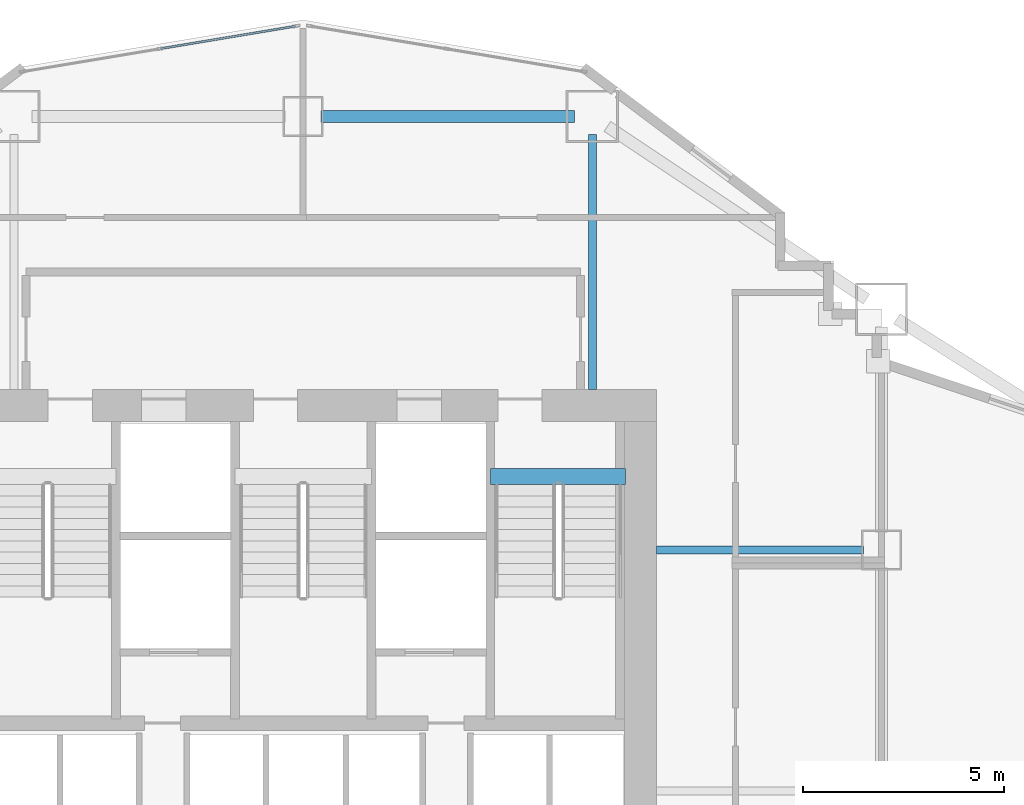
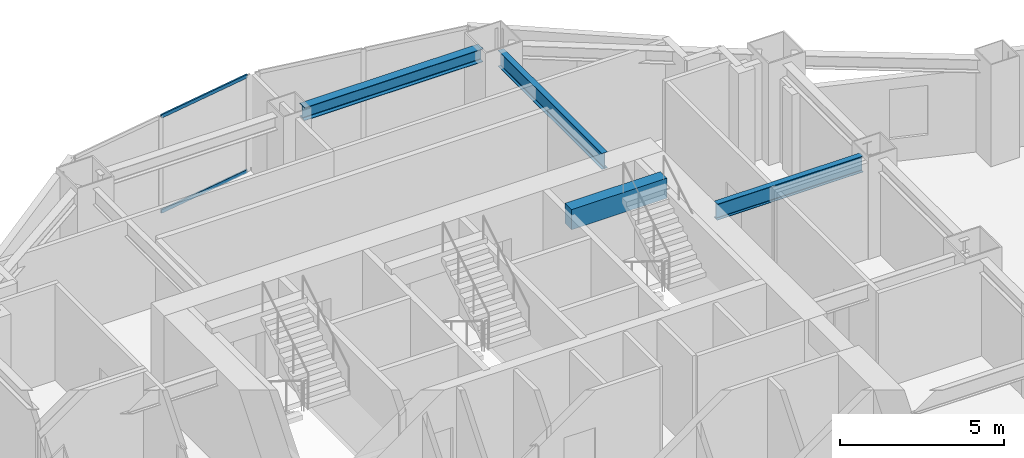
# One storey, part 3 of 17: 4 beams, 2 members, 1 element without a shape of its own.
"""IFC4 building model written with IfcOpenShell, lengths in metres."""

import ifcopenshell
import ifcopenshell.guid

model = None  # the IFC model being written
_history = None  # IfcOwnerHistory: only IFC2X3 demands one
_inside = {}  # id of a spatial element -> (the spatial element, [elements in it])
_under = {}  # id of a project, library or spatial element -> (it, [spatial elements below it])
_declared = {}  # id of a project -> (the project, [libraries it declares])
_typed = {}  # id of a type object -> (the type object, [elements of that type])
_made_of = {}  # id of a material, layer set ... -> (it, [elements and type objects made of it])


def new_model(schema):
    """Start an empty IFC model of exactly this schema.

    Asked for "IFC4X3", IfcOpenShell would pick the latest addendum, in which some entities
    have other attributes; the version numbers below select the first issue.
    IFC2X3 requires an IfcOwnerHistory on every rooted entity: one is made here for all.
    """
    global model, _history
    if schema == "IFC4X3":
        model = ifcopenshell.file(schema_version=(4, 3, 0, 0))
    else:
        model = ifcopenshell.file(schema=schema)
    _inside.clear()
    _under.clear()
    _declared.clear()
    _typed.clear()
    _made_of.clear()
    _history = None
    if model.schema == "IFC2X3":
        org = make("IfcOrganization", Name="unknown")
        user = make(
            "IfcPersonAndOrganization",
            ThePerson=make("IfcPerson", FamilyName="unknown"),
            TheOrganization=org,
        )
        app = make(
            "IfcApplication",
            ApplicationDeveloper=org,
            Version="unknown",
            ApplicationFullName="unknown",
            ApplicationIdentifier="unknown",
        )
        _history = make(
            "IfcOwnerHistory",
            OwningUser=user,
            OwningApplication=app,
            ChangeAction="ADDED",
            CreationDate=0,
        )
    return model


def make(cls, **values):
    """One entity of the class cls with the attributes given. An attribute that is None is left unset."""
    return model.create_entity(
        cls, **{name: value for name, value in values.items() if value is not None}
    )


def rooted(cls, **values):
    """An entity with a GlobalId (a new one), such as an element, a storey or a relation."""
    return make(cls, GlobalId=ifcopenshell.guid.new(), OwnerHistory=_history, **values)


def si_unit(unit_type, name, prefix=None):
    """IfcSIUnit, for example si_unit("LENGTHUNIT", "METRE", prefix="MILLI")."""
    return make("IfcSIUnit", UnitType=unit_type, Prefix=prefix, Name=name)


def assignment(units):
    """IfcUnitAssignment: the units of a project."""
    return None if units is None else make("IfcUnitAssignment", Units=units)


def point(xyz):
    """IfcCartesianPoint."""
    return None if xyz is None else make("IfcCartesianPoint", Coordinates=xyz)


def direction(xyz):
    """IfcDirection."""
    return None if xyz is None else make("IfcDirection", DirectionRatios=xyz)


def frame(location, z_axis=None, x_axis=None):
    """IfcAxis2Placement3D, a coordinate frame: its origin and axes. An axis left out is left unset."""
    return make(
        "IfcAxis2Placement3D",
        Location=point(location),
        Axis=direction(z_axis),
        RefDirection=direction(x_axis),
    )


def frame_2d(location, x_axis=None):
    """IfcAxis2Placement2D, a coordinate frame in the plane: its origin and x axis."""
    return make(
        "IfcAxis2Placement2D", Location=point(location), RefDirection=direction(x_axis)
    )


def origin():
    """The frame at (0, 0, 0) with its axes left unset."""
    return frame((0.0, 0.0, 0.0))


def origin_2d():
    """The frame at (0, 0) in the plane with its x axis left unset."""
    return frame_2d((0.0, 0.0))


def place(relative_to, where):
    """IfcLocalPlacement: puts the frame where relative to a parent placement (None: the world)."""
    return make(
        "IfcLocalPlacement", PlacementRelTo=relative_to, RelativePlacement=where
    )


def context(
    kind, dimensions, precision=None, world=None, true_north=None, identifier=None
):
    """IfcGeometricRepresentationContext, for example the 3D "Model" context."""
    return make(
        "IfcGeometricRepresentationContext",
        ContextIdentifier=identifier,
        ContextType=kind,
        CoordinateSpaceDimension=dimensions,
        Precision=precision,
        WorldCoordinateSystem=world,
        TrueNorth=true_north,
    )


def subcontext(parent, identifier, kind, view, scale=None):
    """IfcGeometricRepresentationSubContext, for example "Body" below "Model"."""
    return make(
        "IfcGeometricRepresentationSubContext",
        ContextIdentifier=identifier,
        ContextType=kind,
        ParentContext=parent,
        TargetScale=scale,
        TargetView=view,
    )


def project(units=None, contexts=None):
    """IfcProject with its units and contexts."""
    return rooted(
        "IfcProject",
        Name="project",
        RepresentationContexts=contexts,
        UnitsInContext=assignment(units),
    )


def spatial(cls, under=None, at=None, **own):
    """A site, building, storey or space (cls), placed at a placement, below another one or the project."""
    s = rooted(cls, ObjectPlacement=at, **own)
    if under is not None:
        _under.setdefault(under.id(), (under, []))[1].append(s)
    return s


def profile(cls, at=None, kind="AREA", **sizes):
    """A parametric profile (cls). Its sizes go by their IFC names, for example OverallWidth=200.0."""
    return make(cls, ProfileType=kind, Position=at, **sizes)


def rectangle(**sizes):
    """IfcRectangleProfileDef."""
    return profile("IfcRectangleProfileDef", **sizes)


def hollow_rectangle(**sizes):
    """IfcRectangleHollowProfileDef."""
    return profile("IfcRectangleHollowProfileDef", **sizes)


def i_section(**sizes):
    """IfcIShapeProfileDef."""
    return profile("IfcIShapeProfileDef", **sizes)


def extrude(swept, where, along, depth):
    """IfcExtrudedAreaSolid: the profile swept, set in the frame where, extruded along a direction by depth."""
    return make(
        "IfcExtrudedAreaSolid",
        SweptArea=swept,
        Position=where,
        ExtrudedDirection=direction(along),
        Depth=depth,
    )


def shape(context_of_items, identifier, shape_type, items):
    """IfcShapeRepresentation: the items that make up one representation, for example the "Body"."""
    return make(
        "IfcShapeRepresentation",
        ContextOfItems=context_of_items,
        RepresentationIdentifier=identifier,
        RepresentationType=shape_type,
        Items=items,
    )


def material(Name=None, Category=None):
    """IfcMaterial."""
    return make("IfcMaterial", Name=Name, Category=Category)


def layer(
    of_material, thickness, ventilated=None, Name=None, Category=None, Priority=None
):
    """IfcMaterialLayer: one layer of a wall or slab, of a material (None: an air gap)."""
    return make(
        "IfcMaterialLayer",
        Material=of_material,
        LayerThickness=thickness,
        IsVentilated=ventilated,
        Name=Name,
        Category=Category,
        Priority=Priority,
    )


def layer_set(layers, Name=None):
    """IfcMaterialLayerSet."""
    return make("IfcMaterialLayerSet", MaterialLayers=layers, LayerSetName=Name)


def material_profile(
    of_material, cross_section, Name=None, Category=None, Priority=None
):
    """IfcMaterialProfile: a cross section and its material."""
    return make(
        "IfcMaterialProfile",
        Name=Name,
        Material=of_material,
        Profile=cross_section,
        Priority=Priority,
        Category=Category,
    )


def profile_set(profiles, Name=None, composite=None):
    """IfcMaterialProfileSet."""
    return make(
        "IfcMaterialProfileSet",
        Name=Name,
        MaterialProfiles=profiles,
        CompositeProfile=composite,
    )


def made_of(thing, what):
    """Note that an element or type object is made of a material, layer set ...; save() writes the relation."""
    if what is not None:
        _made_of.setdefault(what.id(), (what, []))[1].append(thing)
    return thing


def type_object(cls, material=None, **own):
    """A type object (cls), such as IfcWallType, which elements share."""
    return made_of(rooted(cls, **own), material)


def element(
    cls,
    number,
    at=None,
    inside=None,
    cuts=None,
    type_object=None,
    material=None,
    context=None,
    identifier="Body",
    shape_type=None,
    held_by="IfcProductDefinitionShape",
    body=None,
    shapes=None,
    **own,
):
    """One element of the class cls, such as IfcWall. Its Tag is "e" and its number.

    at: its placement. inside: the storey or other place that contains it. cuts: it is an
    opening in that element (IfcRelVoidsElement). A single representation is given by context,
    identifier, shape_type and body (its items); several are given by shapes. held_by: the class
    of the entity that holds the representations. save() writes the other relations.
    """
    e = rooted(cls, Tag="e%d" % number, ObjectPlacement=at, **own)
    if body is not None:
        shapes = [shape(context, identifier, shape_type, body)]
    if shapes is not None:
        e.Representation = make(held_by, Representations=shapes)
    if inside is not None:
        _inside.setdefault(inside.id(), (inside, []))[1].append(e)
    if cuts is not None:
        rooted(
            "IfcRelVoidsElement", RelatingBuildingElement=cuts, RelatedOpeningElement=e
        )
    if type_object is not None:
        _typed.setdefault(type_object.id(), (type_object, []))[1].append(e)
    return made_of(e, material)


def aggregate(whole, parts):
    """IfcRelAggregates: a whole, such as a stair, and the parts it consists of."""
    return rooted("IfcRelAggregates", RelatingObject=whole, RelatedObjects=parts)


def save(model, path):
    """Write the relations noted so far, then the file.

    IfcRelAggregates (storeys below a building ...), IfcRelContainedInSpatialStructure (elements
    in a storey), IfcRelDefinesByType, IfcRelAssociatesMaterial and IfcRelDeclares: one each for
    every whole, place, type object, material and project.
    """
    for whole, parts in _under.values():
        aggregate(whole, parts)
    for where, things in _inside.values():
        rooted(
            "IfcRelContainedInSpatialStructure",
            RelatedElements=things,
            RelatingStructure=where,
        )
    for kind, things in _typed.values():
        rooted("IfcRelDefinesByType", RelatedObjects=things, RelatingType=kind)
    for what, things in _made_of.values():
        rooted("IfcRelAssociatesMaterial", RelatedObjects=things, RelatingMaterial=what)
    for by, libraries in _declared.values():
        rooted("IfcRelDeclares", RelatingContext=by, RelatedDefinitions=libraries)
    model.write(path)


model = new_model("IFC4")

# Units and contexts
model_context = context("Model", 3, precision=1e-05, world=origin(), true_north=direction((0.0, 1.0)))
body_context = subcontext(model_context, "Body", "Model", "MODEL_VIEW")
ifc_project = project(units=[si_unit("LENGTHUNIT", "METRE"), si_unit("AREAUNIT", "SQUARE_METRE"), si_unit("VOLUMEUNIT", "CUBIC_METRE"), si_unit("PLANEANGLEUNIT", "RADIAN"), si_unit("MASSUNIT", "GRAM", prefix="KILO")], contexts=[model_context])

# Site, building, storey
site_placement = place(None, origin())
site = spatial("IfcSite", under=ifc_project, at=site_placement, CompositionType="ELEMENT")
building_placement = place(site_placement, origin())
building = spatial("IfcBuilding", under=site, at=building_placement, Name="Haolan Belvedere Tower", CompositionType="ELEMENT")
storey_placement = place(building_placement, frame((0.0, 0.0, 31.60009765625)))
storey = spatial("IfcBuildingStorey", under=building, at=storey_placement, Name="L07", CompositionType="ELEMENT", Elevation=31.60009765625)

# Beams
ifc_material_1 = material(Name="Steel Q355B", Category="steel")
ifc_material_profile_1 = material_profile(ifc_material_1, i_section(OverallWidth=0.300048828125, OverallDepth=0.488037109375, WebThickness=0.010986328125, FlangeThickness=0.01806640625, FilletRadius=0.02587890625, at=origin_2d()), Name="Steel Q355B")
ifc_profile_set_1 = profile_set([ifc_material_profile_1], Name="Steel Q355B")
beam_type_1 = type_object("IfcBeamType", Name="BM-HM488x300x11x18", PredefinedType="SPANDREL", material=ifc_profile_set_1)
beam_1_placement = place(storey_placement, frame((38.85009765625, 50.39990234375, 3.35595703125), z_axis=(1.0, 0.0, 0.0), x_axis=(0.0, 1.0, 0.0)))
element("IfcBeam", 1, at=beam_1_placement, inside=storey, type_object=beam_type_1, Name="L07 spandrel girder TC-T3-NM-MC-T3-N2", PredefinedType="SPANDREL", context=body_context, shape_type="SweptSolid", body=[
    extrude(i_section(OverallWidth=0.300048828125, OverallDepth=0.488037109375, WebThickness=0.010986328125, FlangeThickness=0.01806640625, FilletRadius=0.02587890625, at=origin_2d()), origin(), (0.0, 0.0, 1.0), 6.2998046875),
])
ifc_material_profile_2 = material_profile(ifc_material_1, i_section(OverallWidth=0.199951171875, OverallDepth=0.60009765625, WebThickness=0.010986328125, FlangeThickness=0.01708984375, FilletRadius=0.02197265625, at=origin_2d()), Name="Steel Q355B")
ifc_profile_set_2 = profile_set([ifc_material_profile_2], Name="Steel Q355B")
beam_type_2 = type_object("IfcBeamType", Name="BM-HN600x200x11x17", PredefinedType="BEAM", material=ifc_profile_set_2)
beam_2_placement = place(storey_placement, frame((52.35009765625, 39.60009765625, 3.2998046875), z_axis=(-1.0, 0.0, 0.0), x_axis=(0.0, -1.0, 0.0)))
element("IfcBeam", 2, at=beam_2_placement, inside=storey, type_object=beam_type_2, Name="L07 core tie beam from TC-T3-E2", PredefinedType="BEAM", context=body_context, shape_type="SweptSolid", body=[
    extrude(i_section(OverallWidth=0.199951171875, OverallDepth=0.60009765625, WebThickness=0.010986328125, FlangeThickness=0.01708984375, FilletRadius=0.02197265625, at=origin_2d()), origin(), (0.0, 0.0, 1.0), 5.150146484375),
])
beam_3_placement = place(storey_placement, frame((45.60009765625, 49.949951171875, 3.2998046875), z_axis=(0.0, -1.0, 0.0), x_axis=(1.0, 0.0, 0.0)))
element("IfcBeam", 3, at=beam_3_placement, inside=storey, type_object=beam_type_2, Name="L07 core tie beam from MC-T3-N2", PredefinedType="BEAM", context=body_context, shape_type="SweptSolid", body=[
    extrude(i_section(OverallWidth=0.199951171875, OverallDepth=0.60009765625, WebThickness=0.010986328125, FlangeThickness=0.01708984375, FilletRadius=0.02197265625, at=origin_2d()), origin(), (0.0, 0.0, 1.0), 6.349853515625),
])
ifc_material_2 = material(Name="Concrete C50/60", Category="concrete")
ifc_material_profile_3 = material_profile(ifc_material_2, rectangle(XDim=0.39990234375, YDim=0.75, at=origin_2d()), Name="Concrete C50/60")
ifc_profile_set_3 = profile_set([ifc_material_profile_3], Name="Concrete C50/60")
beam_type_3 = type_object("IfcBeamType", Name="BM-RC400x750", PredefinedType="T_BEAM", material=ifc_profile_set_3)
beam_4_placement = place(storey_placement, frame((43.06005859375, 41.429931640625, 3.4248046875), z_axis=(1.0, 0.0, 0.0), x_axis=(0.0, 1.0, 0.0)))
element("IfcBeam", 4, at=beam_4_placement, inside=storey, type_object=beam_type_3, Name="L08 stair ST2 RC header trimmer beam", PredefinedType="BEAM", context=body_context, shape_type="SweptSolid", body=[
    extrude(rectangle(XDim=0.39990234375, YDim=0.75, at=origin_2d()), origin(), (0.0, 0.0, 1.0), 3.35986328125),
])

# Curtain wall, members
ifc_material_3 = material(Name="Anodised champagne-silver aluminium 6063-T6 and Low-E glass", Category="aluminium")
ifc_layer = layer(ifc_material_3, 0.1650390625, Name="Anodised champagne-silver aluminium 6063-T6 and Low-E glass")
ifc_layer_set = layer_set([ifc_layer], Name="Anodised champagne-silver aluminium 6063-T6 and Low-E glass")
curtain_wall_type = type_object("IfcCurtainWallType", Name="CW-SYS-02", PredefinedType="NOTDEFINED", material=ifc_layer_set)
curtain_wall_placement = place(storey_placement, origin())
curtain_wall = element("IfcCurtainWall", 5, at=curtain_wall_placement, inside=storey, type_object=curtain_wall_type, Name="L07 CW-SYS-02 ribbon curtain wall 43.1", PredefinedType="NOTDEFINED")
ifc_material_4 = material(Name="Anodised aluminium 6063-T6", Category="aluminium")
ifc_material_profile_4 = material_profile(ifc_material_4, hollow_rectangle(XDim=0.054931640625, YDim=0.1298828125, WallThickness=0.00390625, at=origin_2d()), Name="Anodised aluminium 6063-T6")
ifc_profile_set_4 = profile_set([ifc_material_profile_4], Name="Anodised aluminium 6063-T6")
member_type = type_object("IfcMemberType", Name="CW-SYS-02-TRN", PredefinedType="USERDEFINED", material=ifc_profile_set_4)
member_1_placement = place(storey_placement, frame((38.20263671875, 52.6455078125, 0.02734375), z_axis=(-0.986393923832, -0.164398987305, 0.0), x_axis=(0.164398987305, -0.986393923832, 0.0)))
member_1 = element("IfcMember", 6, at=member_1_placement, type_object=member_type, Name="CW-02 transom 1.1", ObjectType="TRANSOM", PredefinedType="USERDEFINED", context=body_context, shape_type="SweptSolid", body=[
    extrude(hollow_rectangle(XDim=0.054931640625, YDim=0.1298828125, WallThickness=0.00390625, at=origin_2d()), origin(), (0.0, 0.0, 1.0), 3.394775390625),
])
member_2_placement = place(storey_placement, frame((38.20263671875, 52.6455078125, 3.572509765625), z_axis=(-0.986393923832, -0.164398987305, 0.0), x_axis=(0.164398987305, -0.986393923832, 0.0)))
member_2 = element("IfcMember", 7, at=member_2_placement, type_object=member_type, Name="CW-02 transom 1.2", ObjectType="TRANSOM", PredefinedType="USERDEFINED", context=body_context, shape_type="SweptSolid", body=[
    extrude(hollow_rectangle(XDim=0.054931640625, YDim=0.1298828125, WallThickness=0.00390625, at=origin_2d()), origin(), (0.0, 0.0, 1.0), 3.394775390625),
])
aggregate(curtain_wall, [member_1, member_2])

save(model, "model.ifc")
